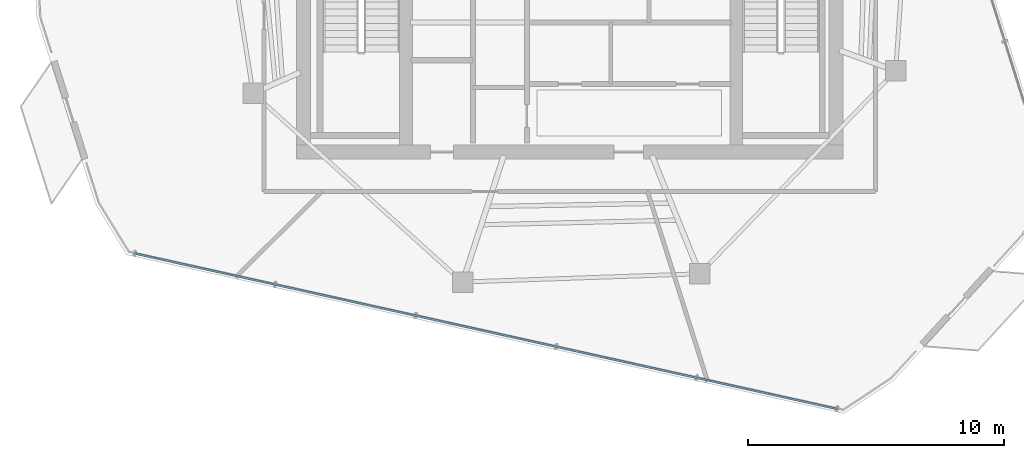
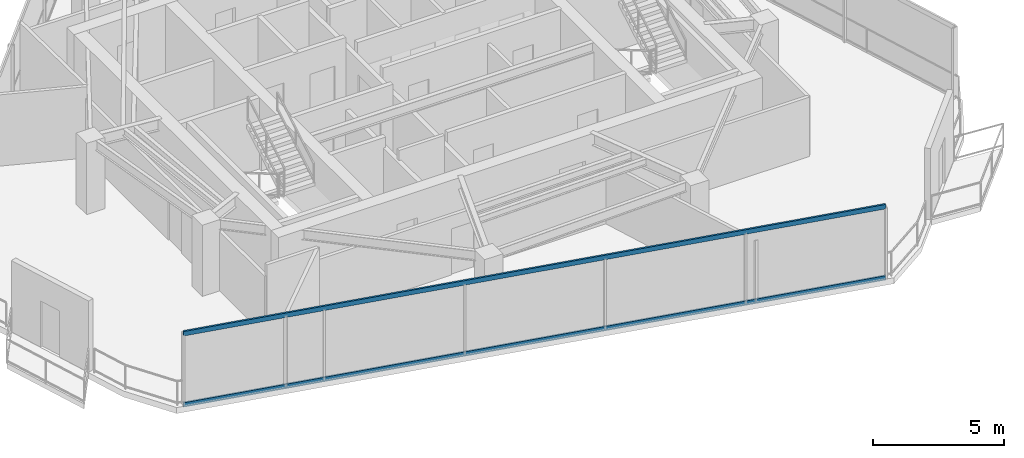
# One storey, part 3 of 18: 2 members, 1 element without a shape of its own.
"""IFC4 building model written with IfcOpenShell, lengths in metres."""

from ifc_helpers import new_model, si_unit, direction, frame, origin, origin_2d, place, context, subcontext, project, spatial, hollow_rectangle, extrude, material, layer, layer_set, material_profile, profile_set, type_object, element, aggregate, save


model = new_model("IFC4")

# Units and contexts
model_context = context("Model", 3, precision=1e-05, world=origin(), true_north=direction((0.0, 1.0)))
body_context = subcontext(model_context, "Body", "Model", "MODEL_VIEW")
ifc_project = project(units=[si_unit("LENGTHUNIT", "METRE"), si_unit("AREAUNIT", "SQUARE_METRE"), si_unit("VOLUMEUNIT", "CUBIC_METRE"), si_unit("PLANEANGLEUNIT", "RADIAN"), si_unit("MASSUNIT", "GRAM", prefix="KILO")], contexts=[model_context])

# Site, building, storey
site_placement = place(None, origin())
site = spatial("IfcSite", under=ifc_project, at=site_placement, CompositionType="ELEMENT")
building_placement = place(site_placement, origin())
building = spatial("IfcBuilding", under=site, at=building_placement, Name="Qarnah Convention Tower", CompositionType="ELEMENT")
storey_placement = place(building_placement, frame((0.0, 0.0, 246.300048828125)))
storey = spatial("IfcBuildingStorey", under=building, at=storey_placement, Name="L66", CompositionType="ELEMENT", Elevation=246.300048828125)

# Curtain wall, members
ifc_material_1 = material(Name="Tempered Low-E dark glass", Category="glass")
ifc_layer = layer(ifc_material_1, 0.176025390625)
ifc_layer_set = layer_set([ifc_layer], Name="Tempered Low-E dark glass")
curtain_wall_type = type_object("IfcCurtainWallType", Name="CWS-05", PredefinedType="NOTDEFINED", material=ifc_layer_set)
curtain_wall_placement = place(storey_placement, origin())
curtain_wall = element("IfcCurtainWall", 1, at=curtain_wall_placement, inside=storey, type_object=curtain_wall_type, Name="L66 unitised curtain wall CW-L66-F3", PredefinedType="NOTDEFINED")
ifc_material_2 = material(Name="Black anodised aluminium", Category="aluminium")
ifc_material_profile = material_profile(ifc_material_2, hollow_rectangle(XDim=0.080078125, YDim=0.2099609375, WallThickness=0.0048828125, at=origin_2d()), Name="TRN-80X210")
ifc_profile_set = profile_set([ifc_material_profile], Name="Black anodised aluminium")
member_type = type_object("IfcMemberType", Name="TRN-T5", PredefinedType="USERDEFINED", material=ifc_profile_set)
member_1_placement = place(storey_placement, frame((47.64697265625, 8.553955078125, 0.0), z_axis=(-0.976373663408, 0.216089031198, 0.0), x_axis=(-0.216089031198, -0.976373663408, 0.0)))
member_1 = element("IfcMember", 2, at=member_1_placement, type_object=member_type, Name="CW-L66-F3 transom 1", ObjectType="TRANSOM", PredefinedType="USERDEFINED", context=body_context, shape_type="SweptSolid", body=[
    extrude(hollow_rectangle(XDim=0.080078125, YDim=0.2099609375, WallThickness=0.0048828125, at=origin_2d()), origin(), (0.0, 0.0, 1.0), 28.11328125),
])
member_2_placement = place(storey_placement, frame((47.64697265625, 8.553955078125, 3.320068359375), z_axis=(-0.976373663408, 0.216089031198, 0.0), x_axis=(-0.216089031198, -0.976373663408, 0.0)))
member_2 = element("IfcMember", 3, at=member_2_placement, type_object=member_type, Name="CW-L66-F3 transom 2", ObjectType="TRANSOM", PredefinedType="USERDEFINED", context=body_context, shape_type="SweptSolid", body=[
    extrude(hollow_rectangle(XDim=0.080078125, YDim=0.2099609375, WallThickness=0.0048828125, at=origin_2d()), origin(), (0.0, 0.0, 1.0), 28.11328125),
])
aggregate(curtain_wall, [member_1, member_2])

save(model, "model.ifc")
